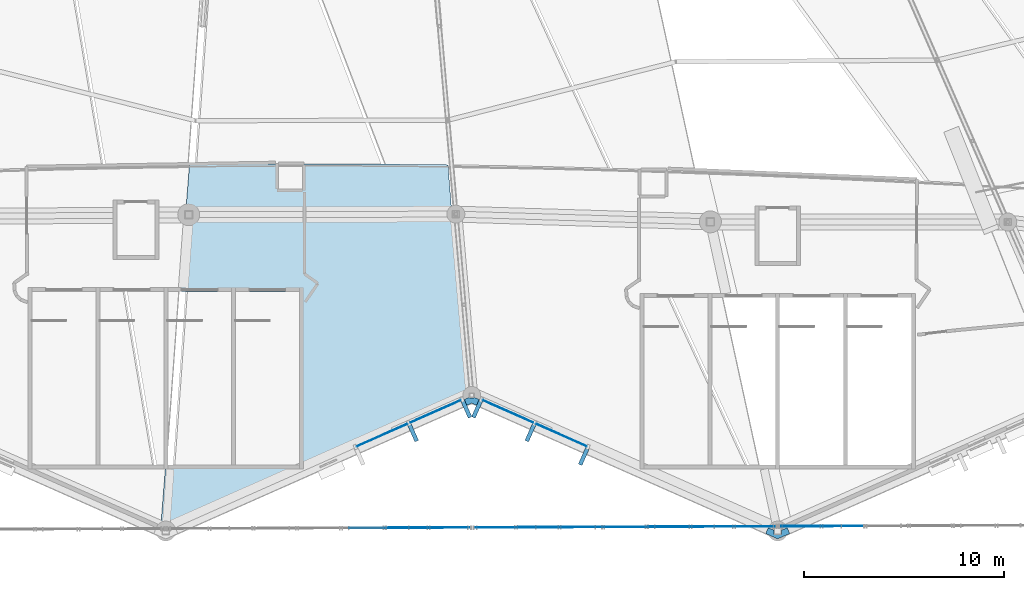
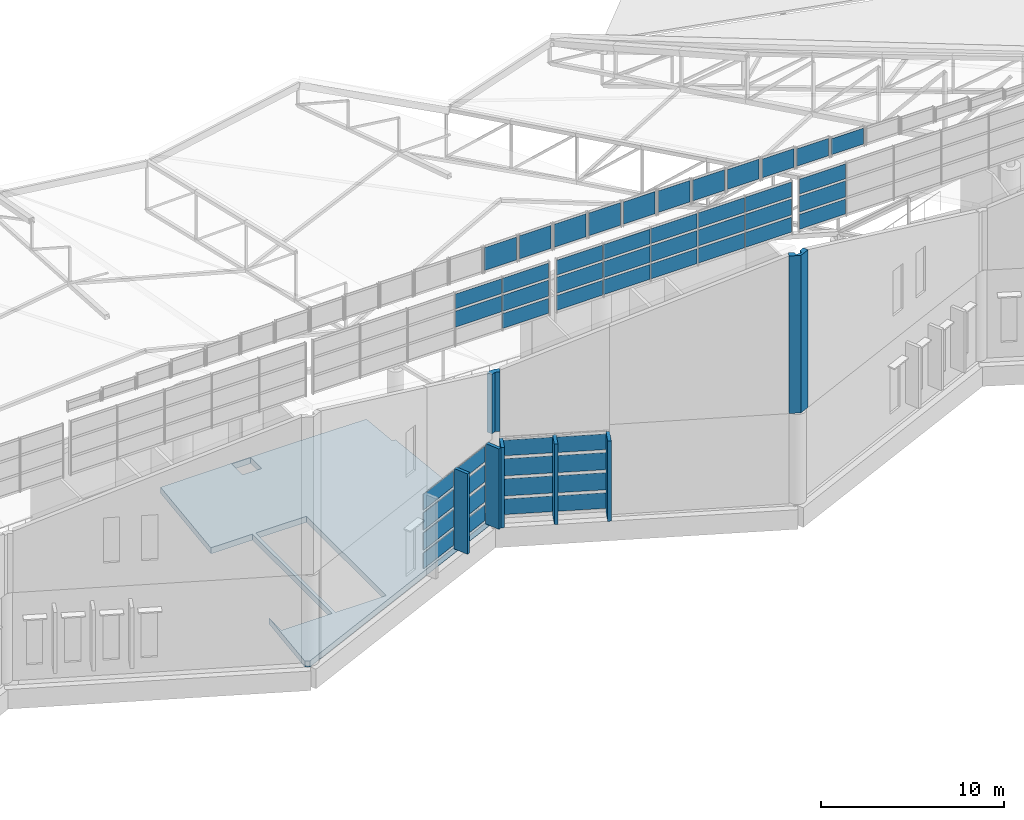
# One storey, part 228 of 344: 57 plates, 1 slab, 16 elements without a shape of their own.
"""IFC4 building model written with IfcOpenShell, lengths in metres."""

from ifc_helpers import new_model, si_unit, direction, frame, origin, origin_2d, place, context, subcontext, project, spatial, polyline, rectangle, outline, extrude, material, layer, layer_set, type_object, element, aggregate, save


model = new_model("IFC4")

# Units and contexts
model_context = context("Model", 3, precision=1e-05, world=origin(), true_north=direction((0.0, 1.0)))
body_context = subcontext(model_context, "Body", "Model", "MODEL_VIEW")
ifc_project = project(units=[si_unit("LENGTHUNIT", "METRE"), si_unit("AREAUNIT", "SQUARE_METRE"), si_unit("VOLUMEUNIT", "CUBIC_METRE"), si_unit("PLANEANGLEUNIT", "RADIAN"), si_unit("MASSUNIT", "GRAM", prefix="KILO")], contexts=[model_context])

# Site, building, storey
site_placement = place(None, origin())
site = spatial("IfcSite", under=ifc_project, at=site_placement, CompositionType="ELEMENT")
building_placement = place(site_placement, origin())
building = spatial("IfcBuilding", under=site, at=building_placement, Name="Meseta Stadium", CompositionType="ELEMENT")
storey_placement = place(building_placement, frame((0.0, 0.0, 24.0)))
storey = spatial("IfcBuildingStorey", under=building, at=storey_placement, Name="L04", CompositionType="ELEMENT", Elevation=24.0)

# Plates
ifc_material_1 = material(Name="White precast concrete C40/50", Category="concrete")
ifc_layer_1 = layer(ifc_material_1, 0.199951171875)
ifc_layer_set_1 = layer_set([ifc_layer_1], Name="Brise-soleil fin 200x900")
plate_type_1 = type_object("IfcPlateType", Name="Brise-soleil fin 200x900", PredefinedType="USERDEFINED", material=ifc_layer_set_1)
for number, where, z_axis, x_axis, name in (
    (1, (4.72607421875, -100.478271484375, 0.0), (0.0, 0.0, 1.0), (0.914139046248, 0.40540079443, 0.0), "Brise-soleil fin F46.2"),
    (2, (7.39990234375, -99.29248046875, 0.0), (0.0, 0.0, 1.0), (0.914139046248, 0.40540079443, 0.0), "Brise-soleil fin F46.3"),
    (3, (7.933349609375, -99.29248046875, 0.0), (0.0, 0.0, 1.0), (0.914139046248, -0.40540079443, 0.0), "Brise-soleil fin F47.1"),
    (4, (10.607177734375, -100.478271484375, 0.0), (0.0, 0.0, 1.0), (0.914139046248, -0.40540079443, 0.0), "Brise-soleil fin F47.2"),
    (5, (13.281005859375, -101.664306640625, 0.0), (0.0, 0.0, 1.0), (0.914139046248, -0.40540079443, 0.0), "Brise-soleil fin F47.3"),
):
    element("IfcPlate", number, at=place(storey_placement, frame(where, z_axis=z_axis, x_axis=x_axis)), inside=storey, type_object=plate_type_1, Name=name, ObjectType="FIN", PredefinedType="USERDEFINED", context=body_context, shape_type="SweptSolid", body=[
        extrude(rectangle(XDim=0.199951171875, YDim=0.89990234375, at=origin_2d()), origin(), (0.0, 0.0, 1.0), 5.35009765625),
    ])

# Curtain wall, plates
ifc_material_2 = material(Name="Steel S355", Category="steel")
ifc_layer_2 = layer(ifc_material_2, 0.300048828125)
ifc_layer_set_2 = layer_set([ifc_layer_2], Name="Valley atrium curtain wall")
curtain_wall_type_1 = type_object("IfcCurtainWallType", Name="Valley atrium curtain wall", PredefinedType="NOTDEFINED", material=ifc_layer_set_2)
curtain_wall_1_placement = place(storey_placement, origin())
curtain_wall_1 = element("IfcCurtainWall", 6, at=curtain_wall_1_placement, inside=storey, type_object=curtain_wall_type_1, Name="Valley atrium glazing F46", PredefinedType="NOTDEFINED")
ifc_material_3 = material(Name="Glass", Category="glass")
ifc_layer_3 = layer(ifc_material_3, 0.035888671875)
ifc_layer_set_3 = layer_set([ifc_layer_3], Name="CW glass panel 36")
plate_type_2 = type_object("IfcPlateType", Name="CW glass panel 36", PredefinedType="CURTAIN_PANEL", material=ifc_layer_set_3)
plate_1_placement = place(storey_placement, frame((3.17626953125, -100.59130859375, 0.199951171875), z_axis=(0.0, 0.0, 1.0), x_axis=(0.914139046206, 0.405400794526, 0.0)))
plate_1 = element("IfcPlate", 7, at=plate_1_placement, type_object=plate_type_2, Name="CWA panel 1.1", PredefinedType="CURTAIN_PANEL", context=body_context, shape_type="SweptSolid", body=[
    extrude(rectangle(XDim=2.77490234375, YDim=0.035888671875, at=origin_2d()), origin(), (0.0, 0.0, 1.0), 1.03759765625),
])
plate_2_placement = place(storey_placement, frame((3.17626953125, -100.59130859375, 1.4375), z_axis=(0.0, 0.0, 1.0), x_axis=(0.914139046206, 0.405400794526, 0.0)))
plate_2 = element("IfcPlate", 8, at=plate_2_placement, type_object=plate_type_2, Name="CWA panel 1.2", PredefinedType="CURTAIN_PANEL", context=body_context, shape_type="SweptSolid", body=[
    extrude(rectangle(XDim=2.77490234375, YDim=0.035888671875, at=origin_2d()), origin(), (0.0, 0.0, 1.0), 1.137451171875),
])
plate_3_placement = place(storey_placement, frame((3.17626953125, -100.59130859375, 2.77490234375), z_axis=(0.0, 0.0, 1.0), x_axis=(0.914139046206, 0.405400794526, 0.0)))
plate_3 = element("IfcPlate", 9, at=plate_3_placement, type_object=plate_type_2, Name="CWA panel 1.3", PredefinedType="CURTAIN_PANEL", context=body_context, shape_type="SweptSolid", body=[
    extrude(rectangle(XDim=2.77490234375, YDim=0.035888671875, at=origin_2d()), origin(), (0.0, 0.0, 1.0), 1.137451171875),
])
plate_4_placement = place(storey_placement, frame((3.17626953125, -100.59130859375, 4.112548828125), z_axis=(0.0, 0.0, 1.0), x_axis=(0.914139046206, 0.405400794526, 0.0)))
plate_4 = element("IfcPlate", 10, at=plate_4_placement, type_object=plate_type_2, Name="CWA panel 1.4", PredefinedType="CURTAIN_PANEL", context=body_context, shape_type="SweptSolid", body=[
    extrude(rectangle(XDim=2.77490234375, YDim=0.035888671875, at=origin_2d()), origin(), (0.0, 0.0, 1.0), 1.03759765625),
])
plate_5_placement = place(storey_placement, frame((5.85009765625, -99.405517578125, 0.199951171875), z_axis=(0.0, 0.0, 1.0), x_axis=(0.914139046206, 0.405400794526, 0.0)))
plate_5 = element("IfcPlate", 11, at=plate_5_placement, type_object=plate_type_2, Name="CWA panel 2.1", PredefinedType="CURTAIN_PANEL", context=body_context, shape_type="SweptSolid", body=[
    extrude(rectangle(XDim=2.77490234375, YDim=0.035888671875, at=origin_2d()), origin(), (0.0, 0.0, 1.0), 1.03759765625),
])
plate_6_placement = place(storey_placement, frame((5.85009765625, -99.405517578125, 1.4375), z_axis=(0.0, 0.0, 1.0), x_axis=(0.914139046206, 0.405400794526, 0.0)))
plate_6 = element("IfcPlate", 12, at=plate_6_placement, type_object=plate_type_2, Name="CWA panel 2.2", PredefinedType="CURTAIN_PANEL", context=body_context, shape_type="SweptSolid", body=[
    extrude(rectangle(XDim=2.77490234375, YDim=0.035888671875, at=origin_2d()), origin(), (0.0, 0.0, 1.0), 1.137451171875),
])
plate_7_placement = place(storey_placement, frame((5.85009765625, -99.405517578125, 2.77490234375), z_axis=(0.0, 0.0, 1.0), x_axis=(0.914139046206, 0.405400794526, 0.0)))
plate_7 = element("IfcPlate", 13, at=plate_7_placement, type_object=plate_type_2, Name="CWA panel 2.3", PredefinedType="CURTAIN_PANEL", context=body_context, shape_type="SweptSolid", body=[
    extrude(rectangle(XDim=2.77490234375, YDim=0.035888671875, at=origin_2d()), origin(), (0.0, 0.0, 1.0), 1.137451171875),
])
plate_8_placement = place(storey_placement, frame((5.85009765625, -99.405517578125, 4.112548828125), z_axis=(0.0, 0.0, 1.0), x_axis=(0.914139046206, 0.405400794526, 0.0)))
plate_8 = element("IfcPlate", 14, at=plate_8_placement, type_object=plate_type_2, Name="CWA panel 2.4", PredefinedType="CURTAIN_PANEL", context=body_context, shape_type="SweptSolid", body=[
    extrude(rectangle(XDim=2.77490234375, YDim=0.035888671875, at=origin_2d()), origin(), (0.0, 0.0, 1.0), 1.03759765625),
])
aggregate(curtain_wall_1, [plate_1, plate_2, plate_3, plate_4, plate_5, plate_6, plate_7, plate_8])

curtain_wall_2_placement = place(storey_placement, origin())
curtain_wall_2 = element("IfcCurtainWall", 15, at=curtain_wall_2_placement, inside=storey, type_object=curtain_wall_type_1, Name="Valley atrium glazing F47", PredefinedType="NOTDEFINED")
plate_9_placement = place(storey_placement, frame((9.483154296875, -99.405517578125, 0.199951171875), z_axis=(0.0, 0.0, 1.0), x_axis=(0.914139046234, -0.405400794462, 0.0)))
plate_9 = element("IfcPlate", 16, at=plate_9_placement, type_object=plate_type_2, Name="CWA panel 1.1", PredefinedType="CURTAIN_PANEL", context=body_context, shape_type="SweptSolid", body=[
    extrude(rectangle(XDim=2.77490234375, YDim=0.035888671875, at=origin_2d()), origin(), (0.0, 0.0, 1.0), 1.03759765625),
])
plate_10_placement = place(storey_placement, frame((9.483154296875, -99.405517578125, 1.4375), z_axis=(0.0, 0.0, 1.0), x_axis=(0.914139046234, -0.405400794462, 0.0)))
plate_10 = element("IfcPlate", 17, at=plate_10_placement, type_object=plate_type_2, Name="CWA panel 1.2", PredefinedType="CURTAIN_PANEL", context=body_context, shape_type="SweptSolid", body=[
    extrude(rectangle(XDim=2.77490234375, YDim=0.035888671875, at=origin_2d()), origin(), (0.0, 0.0, 1.0), 1.137451171875),
])
plate_11_placement = place(storey_placement, frame((9.483154296875, -99.405517578125, 2.77490234375), z_axis=(0.0, 0.0, 1.0), x_axis=(0.914139046234, -0.405400794462, 0.0)))
plate_11 = element("IfcPlate", 18, at=plate_11_placement, type_object=plate_type_2, Name="CWA panel 1.3", PredefinedType="CURTAIN_PANEL", context=body_context, shape_type="SweptSolid", body=[
    extrude(rectangle(XDim=2.77490234375, YDim=0.035888671875, at=origin_2d()), origin(), (0.0, 0.0, 1.0), 1.137451171875),
])
plate_12_placement = place(storey_placement, frame((9.483154296875, -99.405517578125, 4.112548828125), z_axis=(0.0, 0.0, 1.0), x_axis=(0.914139046234, -0.405400794462, 0.0)))
plate_12 = element("IfcPlate", 19, at=plate_12_placement, type_object=plate_type_2, Name="CWA panel 1.4", PredefinedType="CURTAIN_PANEL", context=body_context, shape_type="SweptSolid", body=[
    extrude(rectangle(XDim=2.77490234375, YDim=0.035888671875, at=origin_2d()), origin(), (0.0, 0.0, 1.0), 1.03759765625),
])
plate_13_placement = place(storey_placement, frame((12.156982421875, -100.59130859375, 0.199951171875), z_axis=(0.0, 0.0, 1.0), x_axis=(0.914139046234, -0.405400794462, 0.0)))
plate_13 = element("IfcPlate", 20, at=plate_13_placement, type_object=plate_type_2, Name="CWA panel 2.1", PredefinedType="CURTAIN_PANEL", context=body_context, shape_type="SweptSolid", body=[
    extrude(rectangle(XDim=2.77490234375, YDim=0.035888671875, at=origin_2d()), origin(), (0.0, 0.0, 1.0), 1.03759765625),
])
plate_14_placement = place(storey_placement, frame((12.156982421875, -100.59130859375, 1.4375), z_axis=(0.0, 0.0, 1.0), x_axis=(0.914139046234, -0.405400794462, 0.0)))
plate_14 = element("IfcPlate", 21, at=plate_14_placement, type_object=plate_type_2, Name="CWA panel 2.2", PredefinedType="CURTAIN_PANEL", context=body_context, shape_type="SweptSolid", body=[
    extrude(rectangle(XDim=2.77490234375, YDim=0.035888671875, at=origin_2d()), origin(), (0.0, 0.0, 1.0), 1.137451171875),
])
plate_15_placement = place(storey_placement, frame((12.156982421875, -100.59130859375, 2.77490234375), z_axis=(0.0, 0.0, 1.0), x_axis=(0.914139046234, -0.405400794462, 0.0)))
plate_15 = element("IfcPlate", 22, at=plate_15_placement, type_object=plate_type_2, Name="CWA panel 2.3", PredefinedType="CURTAIN_PANEL", context=body_context, shape_type="SweptSolid", body=[
    extrude(rectangle(XDim=2.77490234375, YDim=0.035888671875, at=origin_2d()), origin(), (0.0, 0.0, 1.0), 1.137451171875),
])
plate_16_placement = place(storey_placement, frame((12.156982421875, -100.59130859375, 4.112548828125), z_axis=(0.0, 0.0, 1.0), x_axis=(0.914139046234, -0.405400794462, 0.0)))
plate_16 = element("IfcPlate", 23, at=plate_16_placement, type_object=plate_type_2, Name="CWA panel 2.4", PredefinedType="CURTAIN_PANEL", context=body_context, shape_type="SweptSolid", body=[
    extrude(rectangle(XDim=2.77490234375, YDim=0.035888671875, at=origin_2d()), origin(), (0.0, 0.0, 1.0), 1.03759765625),
])
aggregate(curtain_wall_2, [plate_9, plate_10, plate_11, plate_12, plate_13, plate_14, plate_15, plate_16])

# Curtain wall, plate
ifc_material_4 = material(Name="Aluminium", Category="aluminium")
ifc_layer_4 = layer(ifc_material_4, 0.199951171875)
ifc_layer_set_4 = layer_set([ifc_layer_4], Name="Gable glazing curtain wall")
curtain_wall_type_2 = type_object("IfcCurtainWallType", Name="Gable glazing curtain wall", PredefinedType="NOTDEFINED", material=ifc_layer_set_4)
curtain_wall_3_placement = place(storey_placement, origin())
curtain_wall_3 = element("IfcCurtainWall", 24, at=curtain_wall_3_placement, inside=storey, type_object=curtain_wall_type_2, Name="Gable glazing south bay 20", PredefinedType="NOTDEFINED")
plate_17_placement = place(storey_placement, frame((4.40087890625, -105.235595703125, 22.005126953125), z_axis=(0.0, 0.0, 1.0), x_axis=(0.999992598213, 0.003847534181, 0.0)))
plate_17 = element("IfcPlate", 25, at=plate_17_placement, type_object=plate_type_2, Name="CWG panel 1.1", PredefinedType="CURTAIN_PANEL", context=body_context, shape_type="SweptSolid", body=[
    extrude(rectangle(XDim=2.01025390625, YDim=0.035888671875, at=origin_2d()), origin(), (0.0, 0.0, 1.0), 1.52001953125),
])
aggregate(curtain_wall_3, [plate_17])

curtain_wall_4_placement = place(storey_placement, origin())
curtain_wall_4 = element("IfcCurtainWall", 26, at=curtain_wall_4_placement, inside=storey, type_object=curtain_wall_type_2, Name="Gable glazing south bay 21", PredefinedType="NOTDEFINED")
plate_18_placement = place(storey_placement, frame((6.594970703125, -105.22705078125, 22.0048828125), z_axis=(0.0, 0.0, 1.0), x_axis=(0.999992598213, 0.003847534181, 0.0)))
plate_18 = element("IfcPlate", 27, at=plate_18_placement, type_object=plate_type_2, Name="CWG panel 1.1", PredefinedType="CURTAIN_PANEL", context=body_context, shape_type="SweptSolid", body=[
    extrude(rectangle(XDim=2.01025390625, YDim=0.035888671875, at=origin_2d()), origin(), (0.0, 0.0, 1.0), 1.53271484375),
])
aggregate(curtain_wall_4, [plate_18])

curtain_wall_5_placement = place(storey_placement, origin())
curtain_wall_5 = element("IfcCurtainWall", 28, at=curtain_wall_5_placement, inside=storey, type_object=curtain_wall_type_2, Name="Gable glazing south bay 22", PredefinedType="NOTDEFINED")
plate_19_placement = place(storey_placement, frame((8.785400390625, -105.21875, 22.0048828125), z_axis=(0.0, 0.0, 1.0), x_axis=(0.999992598213, 0.003847534233, 0.0)))
plate_19 = element("IfcPlate", 29, at=plate_19_placement, type_object=plate_type_2, Name="CWG panel 1.1", PredefinedType="CURTAIN_PANEL", context=body_context, shape_type="SweptSolid", body=[
    extrude(rectangle(XDim=2.002685546875, YDim=0.035888671875, at=origin_2d()), origin(), (0.0, 0.0, 1.0), 1.525146484375),
])
aggregate(curtain_wall_5, [plate_19])

curtain_wall_6_placement = place(storey_placement, origin())
curtain_wall_6 = element("IfcCurtainWall", 30, at=curtain_wall_6_placement, inside=storey, type_object=curtain_wall_type_2, Name="Gable glazing south bay 23", PredefinedType="NOTDEFINED")
plate_20_placement = place(storey_placement, frame((10.97216796875, -105.210205078125, 22.0048828125), z_axis=(0.0, 0.0, 1.0), x_axis=(0.999992598213, 0.003847534233, 0.0)))
plate_20 = element("IfcPlate", 31, at=plate_20_placement, type_object=plate_type_2, Name="CWG panel 1.1", PredefinedType="CURTAIN_PANEL", context=body_context, shape_type="SweptSolid", body=[
    extrude(rectangle(XDim=2.002685546875, YDim=0.035888671875, at=origin_2d()), origin(), (0.0, 0.0, 1.0), 1.50537109375),
])
aggregate(curtain_wall_6, [plate_20])

curtain_wall_7_placement = place(storey_placement, origin())
curtain_wall_7 = element("IfcCurtainWall", 32, at=curtain_wall_7_placement, inside=storey, type_object=curtain_wall_type_2, Name="Gable glazing south bay 24", PredefinedType="NOTDEFINED")
plate_21_placement = place(storey_placement, frame((13.158935546875, -105.201904296875, 22.0048828125), z_axis=(0.0, 0.0, 1.0), x_axis=(0.999992598213, 0.003847534233, 0.0)))
plate_21 = element("IfcPlate", 33, at=plate_21_placement, type_object=plate_type_2, Name="CWG panel 1.1", PredefinedType="CURTAIN_PANEL", context=body_context, shape_type="SweptSolid", body=[
    extrude(rectangle(XDim=2.002685546875, YDim=0.035888671875, at=origin_2d()), origin(), (0.0, 0.0, 1.0), 1.474609375),
])
aggregate(curtain_wall_7, [plate_21])

curtain_wall_8_placement = place(storey_placement, origin())
curtain_wall_8 = element("IfcCurtainWall", 34, at=curtain_wall_8_placement, inside=storey, type_object=curtain_wall_type_2, Name="Gable glazing south bay 25", PredefinedType="NOTDEFINED")
plate_22_placement = place(storey_placement, frame((15.345703125, -105.193359375, 22.0048828125), z_axis=(0.0, 0.0, 1.0), x_axis=(0.999992598213, 0.003847534233, 0.0)))
plate_22 = element("IfcPlate", 35, at=plate_22_placement, type_object=plate_type_2, Name="CWG panel 1.1", PredefinedType="CURTAIN_PANEL", context=body_context, shape_type="SweptSolid", body=[
    extrude(rectangle(XDim=2.002685546875, YDim=0.035888671875, at=origin_2d()), origin(), (0.0, 0.0, 1.0), 1.432861328125),
])
aggregate(curtain_wall_8, [plate_22])

curtain_wall_9_placement = place(storey_placement, origin())
curtain_wall_9 = element("IfcCurtainWall", 36, at=curtain_wall_9_placement, inside=storey, type_object=curtain_wall_type_2, Name="Gable glazing south bay 26", PredefinedType="NOTDEFINED")
plate_23_placement = place(storey_placement, frame((17.5322265625, -105.18505859375, 22.005126953125), z_axis=(0.0, 0.0, 1.0), x_axis=(0.999992598213, 0.003847534233, 0.0)))
plate_23 = element("IfcPlate", 37, at=plate_23_placement, type_object=plate_type_2, Name="CWG panel 1.1", PredefinedType="CURTAIN_PANEL", context=body_context, shape_type="SweptSolid", body=[
    extrude(rectangle(XDim=2.002685546875, YDim=0.035888671875, at=origin_2d()), origin(), (0.0, 0.0, 1.0), 1.3798828125),
])
aggregate(curtain_wall_9, [plate_23])

curtain_wall_10_placement = place(storey_placement, origin())
curtain_wall_10 = element("IfcCurtainWall", 38, at=curtain_wall_10_placement, inside=storey, type_object=curtain_wall_type_2, Name="Gable glazing south bay 27", PredefinedType="NOTDEFINED")
plate_24_placement = place(storey_placement, frame((19.718994140625, -105.1767578125, 22.005126953125), z_axis=(0.0, 0.0, 1.0), x_axis=(0.999992598213, 0.003847534233, 0.0)))
plate_24 = element("IfcPlate", 39, at=plate_24_placement, type_object=plate_type_2, Name="CWG panel 1.1", PredefinedType="CURTAIN_PANEL", context=body_context, shape_type="SweptSolid", body=[
    extrude(rectangle(XDim=2.002685546875, YDim=0.035888671875, at=origin_2d()), origin(), (0.0, 0.0, 1.0), 1.31591796875),
])
aggregate(curtain_wall_10, [plate_24])

curtain_wall_11_placement = place(storey_placement, origin())
curtain_wall_11 = element("IfcCurtainWall", 40, at=curtain_wall_11_placement, inside=storey, type_object=curtain_wall_type_2, Name="Gable glazing south bay 28", PredefinedType="NOTDEFINED")
plate_25_placement = place(storey_placement, frame((21.90576171875, -105.168212890625, 22.0048828125), z_axis=(0.0, 0.0, 1.0), x_axis=(0.999992598213, 0.003847534233, 0.0)))
plate_25 = element("IfcPlate", 41, at=plate_25_placement, type_object=plate_type_2, Name="CWG panel 1.1", PredefinedType="CURTAIN_PANEL", context=body_context, shape_type="SweptSolid", body=[
    extrude(rectangle(XDim=2.002685546875, YDim=0.035888671875, at=origin_2d()), origin(), (0.0, 0.0, 1.0), 1.24072265625),
])
aggregate(curtain_wall_11, [plate_25])

curtain_wall_12_placement = place(storey_placement, origin())
curtain_wall_12 = element("IfcCurtainWall", 42, at=curtain_wall_12_placement, inside=storey, type_object=curtain_wall_type_2, Name="Gable glazing south bay 29", PredefinedType="NOTDEFINED")
plate_26_placement = place(storey_placement, frame((24.09619140625, -105.159912109375, 22.0048828125), z_axis=(0.0, 0.0, 1.0), x_axis=(0.999992598213, 0.003847534181, 0.0)))
plate_26 = element("IfcPlate", 43, at=plate_26_placement, type_object=plate_type_2, Name="CWG panel 1.1", PredefinedType="CURTAIN_PANEL", context=body_context, shape_type="SweptSolid", body=[
    extrude(rectangle(XDim=2.01025390625, YDim=0.035888671875, at=origin_2d()), origin(), (0.0, 0.0, 1.0), 1.153564453125),
])
aggregate(curtain_wall_12, [plate_26])

curtain_wall_13_placement = place(storey_placement, origin())
curtain_wall_13 = element("IfcCurtainWall", 44, at=curtain_wall_13_placement, inside=storey, type_object=curtain_wall_type_2, Name="Gable glazing south bay 30", PredefinedType="NOTDEFINED")
plate_27_placement = place(storey_placement, frame((26.290283203125, -105.1513671875, 22.0048828125), z_axis=(0.0, 0.0, 1.0), x_axis=(0.999992598213, 0.003847534181, 0.0)))
plate_27 = element("IfcPlate", 45, at=plate_27_placement, type_object=plate_type_2, Name="CWG panel 1.1", PredefinedType="CURTAIN_PANEL", context=body_context, shape_type="SweptSolid", body=[
    extrude(rectangle(XDim=2.01025390625, YDim=0.035888671875, at=origin_2d()), origin(), (0.0, 0.0, 1.0), 1.0546875),
])
aggregate(curtain_wall_13, [plate_27])

# Curtain wall, plates
curtain_wall_14_placement = place(storey_placement, origin())
curtain_wall_14 = element("IfcCurtainWall", 46, at=curtain_wall_14_placement, inside=storey, type_object=curtain_wall_type_2, Name="Gable glazing south lower bay 03", PredefinedType="NOTDEFINED")
plate_28_placement = place(storey_placement, frame((3.006103515625, -105.240966796875, 18.88671875), z_axis=(0.0, 0.0, 1.0), x_axis=(0.999992598213, 0.003847534216, 0.0)))
plate_28 = element("IfcPlate", 47, at=plate_28_placement, type_object=plate_type_2, Name="CWG panel 4.2", PredefinedType="CURTAIN_PANEL", context=body_context, shape_type="SweptSolid", body=[
    extrude(rectangle(XDim=2.93359375, YDim=0.035888671875, at=origin_2d()), origin(), (0.0, 0.0, 1.0), 1.061767578125),
])
plate_29_placement = place(storey_placement, frame((3.006103515625, -105.240966796875, 20.09814453125), z_axis=(0.0, 0.0, 1.0), x_axis=(0.999992598213, 0.003847534216, 0.0)))
plate_29 = element("IfcPlate", 48, at=plate_29_placement, type_object=plate_type_2, Name="CWG panel 4.3", PredefinedType="CURTAIN_PANEL", context=body_context, shape_type="SweptSolid", body=[
    extrude(rectangle(XDim=2.93359375, YDim=0.035888671875, at=origin_2d()), origin(), (0.0, 0.0, 1.0), 0.986572265625),
])
plate_30_placement = place(storey_placement, frame((5.98486328125, -105.2294921875, 17.75), z_axis=(0.0, 0.0, 1.0), x_axis=(0.999992598213, 0.003847534216, 0.0)))
plate_30 = element("IfcPlate", 49, at=plate_30_placement, type_object=plate_type_2, Name="CWG panel 5.1", PredefinedType="CURTAIN_PANEL", context=body_context, shape_type="SweptSolid", body=[
    extrude(rectangle(XDim=2.903564453125, YDim=0.035888671875, at=origin_2d()), origin(), (0.0, 0.0, 1.0), 0.986572265625),
])
plate_31_placement = place(storey_placement, frame((5.98486328125, -105.2294921875, 18.88671875), z_axis=(0.0, 0.0, 1.0), x_axis=(0.999992598213, 0.003847534216, 0.0)))
plate_31 = element("IfcPlate", 50, at=plate_31_placement, type_object=plate_type_2, Name="CWG panel 5.2", PredefinedType="CURTAIN_PANEL", context=body_context, shape_type="SweptSolid", body=[
    extrude(rectangle(XDim=2.903564453125, YDim=0.035888671875, at=origin_2d()), origin(), (0.0, 0.0, 1.0), 1.061767578125),
])
plate_32_placement = place(storey_placement, frame((5.98486328125, -105.2294921875, 20.09814453125), z_axis=(0.0, 0.0, 1.0), x_axis=(0.999992598213, 0.003847534216, 0.0)))
plate_32 = element("IfcPlate", 51, at=plate_32_placement, type_object=plate_type_2, Name="CWG panel 5.3", PredefinedType="CURTAIN_PANEL", context=body_context, shape_type="SweptSolid", body=[
    extrude(rectangle(XDim=2.903564453125, YDim=0.035888671875, at=origin_2d()), origin(), (0.0, 0.0, 1.0), 0.986572265625),
])
aggregate(curtain_wall_14, [plate_28, plate_29, plate_30, plate_31, plate_32])

curtain_wall_15_placement = place(storey_placement, origin())
curtain_wall_15 = element("IfcCurtainWall", 52, at=curtain_wall_15_placement, inside=storey, type_object=curtain_wall_type_2, Name="Gable glazing south lower bay 04", PredefinedType="NOTDEFINED")
plate_33_placement = place(storey_placement, frame((9.394287109375, -105.21630859375, 17.75), z_axis=(0.0, 0.0, 1.0), x_axis=(0.999992598213, 0.003847534198, 0.0)))
plate_33 = element("IfcPlate", 53, at=plate_33_placement, type_object=plate_type_2, Name="CWG panel 1.1", PredefinedType="CURTAIN_PANEL", context=body_context, shape_type="SweptSolid", body=[
    extrude(rectangle(XDim=2.893310546875, YDim=0.035888671875, at=origin_2d()), origin(), (0.0, 0.0, 1.0), 0.986572265625),
])
plate_34_placement = place(storey_placement, frame((9.394287109375, -105.21630859375, 18.88671875), z_axis=(0.0, 0.0, 1.0), x_axis=(0.999992598213, 0.003847534198, 0.0)))
plate_34 = element("IfcPlate", 54, at=plate_34_placement, type_object=plate_type_2, Name="CWG panel 1.2", PredefinedType="CURTAIN_PANEL", context=body_context, shape_type="SweptSolid", body=[
    extrude(rectangle(XDim=2.893310546875, YDim=0.035888671875, at=origin_2d()), origin(), (0.0, 0.0, 1.0), 1.061767578125),
])
plate_35_placement = place(storey_placement, frame((9.394287109375, -105.21630859375, 20.09814453125), z_axis=(0.0, 0.0, 1.0), x_axis=(0.999992598213, 0.003847534198, 0.0)))
plate_35 = element("IfcPlate", 55, at=plate_35_placement, type_object=plate_type_2, Name="CWG panel 1.3", PredefinedType="CURTAIN_PANEL", context=body_context, shape_type="SweptSolid", body=[
    extrude(rectangle(XDim=2.893310546875, YDim=0.035888671875, at=origin_2d()), origin(), (0.0, 0.0, 1.0), 0.986572265625),
])
plate_36_placement = place(storey_placement, frame((12.362548828125, -105.204833984375, 17.75), z_axis=(0.0, 0.0, 1.0), x_axis=(0.999992598213, 0.003847534198, 0.0)))
plate_36 = element("IfcPlate", 56, at=plate_36_placement, type_object=plate_type_2, Name="CWG panel 2.1", PredefinedType="CURTAIN_PANEL", context=body_context, shape_type="SweptSolid", body=[
    extrude(rectangle(XDim=2.923095703125, YDim=0.035888671875, at=origin_2d()), origin(), (0.0, 0.0, 1.0), 0.986572265625),
])
plate_37_placement = place(storey_placement, frame((12.362548828125, -105.204833984375, 18.88671875), z_axis=(0.0, 0.0, 1.0), x_axis=(0.999992598213, 0.003847534198, 0.0)))
plate_37 = element("IfcPlate", 57, at=plate_37_placement, type_object=plate_type_2, Name="CWG panel 2.2", PredefinedType="CURTAIN_PANEL", context=body_context, shape_type="SweptSolid", body=[
    extrude(rectangle(XDim=2.923095703125, YDim=0.035888671875, at=origin_2d()), origin(), (0.0, 0.0, 1.0), 1.061767578125),
])
plate_38_placement = place(storey_placement, frame((12.362548828125, -105.204833984375, 20.09814453125), z_axis=(0.0, 0.0, 1.0), x_axis=(0.999992598213, 0.003847534198, 0.0)))
plate_38 = element("IfcPlate", 58, at=plate_38_placement, type_object=plate_type_2, Name="CWG panel 2.3", PredefinedType="CURTAIN_PANEL", context=body_context, shape_type="SweptSolid", body=[
    extrude(rectangle(XDim=2.923095703125, YDim=0.035888671875, at=origin_2d()), origin(), (0.0, 0.0, 1.0), 0.986572265625),
])
plate_39_placement = place(storey_placement, frame((15.345703125, -105.193359375, 17.75), z_axis=(0.0, 0.0, 1.0), x_axis=(0.999992598213, 0.003847534198, 0.0)))
plate_39 = element("IfcPlate", 59, at=plate_39_placement, type_object=plate_type_2, Name="CWG panel 3.1", PredefinedType="CURTAIN_PANEL", context=body_context, shape_type="SweptSolid", body=[
    extrude(rectangle(XDim=2.923095703125, YDim=0.035888671875, at=origin_2d()), origin(), (0.0, 0.0, 1.0), 0.986572265625),
])
plate_40_placement = place(storey_placement, frame((15.345703125, -105.193359375, 18.88671875), z_axis=(0.0, 0.0, 1.0), x_axis=(0.999992598213, 0.003847534198, 0.0)))
plate_40 = element("IfcPlate", 60, at=plate_40_placement, type_object=plate_type_2, Name="CWG panel 3.2", PredefinedType="CURTAIN_PANEL", context=body_context, shape_type="SweptSolid", body=[
    extrude(rectangle(XDim=2.923095703125, YDim=0.035888671875, at=origin_2d()), origin(), (0.0, 0.0, 1.0), 1.061767578125),
])
plate_41_placement = place(storey_placement, frame((15.345703125, -105.193359375, 20.09814453125), z_axis=(0.0, 0.0, 1.0), x_axis=(0.999992598213, 0.003847534198, 0.0)))
plate_41 = element("IfcPlate", 61, at=plate_41_placement, type_object=plate_type_2, Name="CWG panel 3.3", PredefinedType="CURTAIN_PANEL", context=body_context, shape_type="SweptSolid", body=[
    extrude(rectangle(XDim=2.923095703125, YDim=0.035888671875, at=origin_2d()), origin(), (0.0, 0.0, 1.0), 0.986572265625),
])
plate_42_placement = place(storey_placement, frame((18.328857421875, -105.181884765625, 17.75), z_axis=(0.0, 0.0, 1.0), x_axis=(0.999992598213, 0.003847534198, 0.0)))
plate_42 = element("IfcPlate", 62, at=plate_42_placement, type_object=plate_type_2, Name="CWG panel 4.1", PredefinedType="CURTAIN_PANEL", context=body_context, shape_type="SweptSolid", body=[
    extrude(rectangle(XDim=2.923095703125, YDim=0.035888671875, at=origin_2d()), origin(), (0.0, 0.0, 1.0), 0.986572265625),
])
plate_43_placement = place(storey_placement, frame((18.328857421875, -105.181884765625, 18.88671875), z_axis=(0.0, 0.0, 1.0), x_axis=(0.999992598213, 0.003847534198, 0.0)))
plate_43 = element("IfcPlate", 63, at=plate_43_placement, type_object=plate_type_2, Name="CWG panel 4.2", PredefinedType="CURTAIN_PANEL", context=body_context, shape_type="SweptSolid", body=[
    extrude(rectangle(XDim=2.923095703125, YDim=0.035888671875, at=origin_2d()), origin(), (0.0, 0.0, 1.0), 1.061767578125),
])
plate_44_placement = place(storey_placement, frame((18.328857421875, -105.181884765625, 20.09814453125), z_axis=(0.0, 0.0, 1.0), x_axis=(0.999992598213, 0.003847534198, 0.0)))
plate_44 = element("IfcPlate", 64, at=plate_44_placement, type_object=plate_type_2, Name="CWG panel 4.3", PredefinedType="CURTAIN_PANEL", context=body_context, shape_type="SweptSolid", body=[
    extrude(rectangle(XDim=2.923095703125, YDim=0.035888671875, at=origin_2d()), origin(), (0.0, 0.0, 1.0), 0.986572265625),
])
plate_45_placement = place(storey_placement, frame((21.297119140625, -105.170654296875, 17.75), z_axis=(0.0, 0.0, 1.0), x_axis=(0.999992598213, 0.003847534198, 0.0)))
plate_45 = element("IfcPlate", 65, at=plate_45_placement, type_object=plate_type_2, Name="CWG panel 5.1", PredefinedType="CURTAIN_PANEL", context=body_context, shape_type="SweptSolid", body=[
    extrude(rectangle(XDim=2.893310546875, YDim=0.035888671875, at=origin_2d()), origin(), (0.0, 0.0, 1.0), 0.986572265625),
])
plate_46_placement = place(storey_placement, frame((21.297119140625, -105.170654296875, 18.88671875), z_axis=(0.0, 0.0, 1.0), x_axis=(0.999992598213, 0.003847534198, 0.0)))
plate_46 = element("IfcPlate", 66, at=plate_46_placement, type_object=plate_type_2, Name="CWG panel 5.2", PredefinedType="CURTAIN_PANEL", context=body_context, shape_type="SweptSolid", body=[
    extrude(rectangle(XDim=2.893310546875, YDim=0.035888671875, at=origin_2d()), origin(), (0.0, 0.0, 1.0), 1.061767578125),
])
plate_47_placement = place(storey_placement, frame((21.297119140625, -105.170654296875, 20.09814453125), z_axis=(0.0, 0.0, 1.0), x_axis=(0.999992598213, 0.003847534198, 0.0)))
plate_47 = element("IfcPlate", 67, at=plate_47_placement, type_object=plate_type_2, Name="CWG panel 5.3", PredefinedType="CURTAIN_PANEL", context=body_context, shape_type="SweptSolid", body=[
    extrude(rectangle(XDim=2.893310546875, YDim=0.035888671875, at=origin_2d()), origin(), (0.0, 0.0, 1.0), 0.986572265625),
])
aggregate(curtain_wall_15, [plate_33, plate_34, plate_35, plate_36, plate_37, plate_38, plate_39, plate_40, plate_41, plate_42, plate_43, plate_44, plate_45, plate_46, plate_47])

curtain_wall_16_placement = place(storey_placement, origin())
curtain_wall_16 = element("IfcCurtainWall", 68, at=curtain_wall_16_placement, inside=storey, type_object=curtain_wall_type_2, Name="Gable glazing south lower bay 05", PredefinedType="NOTDEFINED")
plate_48_placement = place(storey_placement, frame((24.706298828125, -105.157470703125, 17.75), z_axis=(0.0, 0.0, 1.0), x_axis=(0.999992598213, 0.003847534216, 0.0)))
plate_48 = element("IfcPlate", 69, at=plate_48_placement, type_object=plate_type_2, Name="CWG panel 1.1", PredefinedType="CURTAIN_PANEL", context=body_context, shape_type="SweptSolid", body=[
    extrude(rectangle(XDim=2.903564453125, YDim=0.035888671875, at=origin_2d()), origin(), (0.0, 0.0, 1.0), 0.986572265625),
])
plate_49_placement = place(storey_placement, frame((24.706298828125, -105.157470703125, 18.88671875), z_axis=(0.0, 0.0, 1.0), x_axis=(0.999992598213, 0.003847534216, 0.0)))
plate_49 = element("IfcPlate", 70, at=plate_49_placement, type_object=plate_type_2, Name="CWG panel 1.2", PredefinedType="CURTAIN_PANEL", context=body_context, shape_type="SweptSolid", body=[
    extrude(rectangle(XDim=2.903564453125, YDim=0.035888671875, at=origin_2d()), origin(), (0.0, 0.0, 1.0), 1.061767578125),
])
plate_50_placement = place(storey_placement, frame((24.706298828125, -105.157470703125, 20.09814453125), z_axis=(0.0, 0.0, 1.0), x_axis=(0.999992598213, 0.003847534216, 0.0)))
plate_50 = element("IfcPlate", 71, at=plate_50_placement, type_object=plate_type_2, Name="CWG panel 1.3", PredefinedType="CURTAIN_PANEL", context=body_context, shape_type="SweptSolid", body=[
    extrude(rectangle(XDim=2.903564453125, YDim=0.035888671875, at=origin_2d()), origin(), (0.0, 0.0, 1.0), 0.986572265625),
])
aggregate(curtain_wall_16, [plate_48, plate_49, plate_50])

# Slab
ifc_material_5 = material(Name="Concrete C40/50", Category="concrete")
ifc_layer_5 = layer(ifc_material_5, 0.39990234375)
ifc_layer_set_5 = layer_set([ifc_layer_5], Name="Floor slab 400")
slab_type = type_object("IfcSlabType", Name="Floor slab 400", PredefinedType="FLOOR", material=ifc_layer_set_5)
slab_placement = place(storey_placement, frame((0.0, 0.0, -0.39990234375)))
element("IfcSlab", 72, at=slab_placement, inside=storey, type_object=slab_type, Name="Floor slab L04 sector 42 panel 07", PredefinedType="FLOOR", context=body_context, shape_type="SweptSolid", body=[
    extrude(outline(polyline([(4.318603515625, -87.019287109375), (2.158935546875, -87.0048828125), (0.0, -87.0), (-2.158935546875, -87.0048828125), (-4.318603515625, -87.019287109375), (-6.4794921875, -87.04345703125), (-6.984130859375, -93.39990234375), (-4.36669921875, -93.39990234375), (-4.36669921875, -102.10009765625), (-7.566650390625, -102.10009765625), (-7.566650390625, -100.740478515625), (-7.92724609375, -105.284423828125), (-7.666748046875, -105.39990234375), (7.666748046875, -98.60009765625), (6.87060546875, -89.517822265625), (6.676025390625, -89.518310546875), (6.4794921875, -87.04345703125), (4.318603515625, -87.019287109375)]), holes=[polyline([(-2.0166015625, -88.25), (-2.0166015625, -87.050048828125), (-0.816650390625, -87.050048828125), (-0.816650390625, -88.25), (-2.0166015625, -88.25)]), polyline([(-4.166748046875, -93.39990234375), (-0.966796875, -93.39990234375), (-0.966796875, -102.10009765625), (-4.166748046875, -102.10009765625), (-4.166748046875, -93.39990234375)])]), origin(), (0.0, 0.0, 1.0), 0.39990234375),
])

# Plates
ifc_material_6 = material(Name="White precast concrete C40/50", Category="concrete")
ifc_layer_6 = layer(ifc_material_6, 0.320068359375)
ifc_layer_set_6 = layer_set([ifc_layer_6], Name="Fold closer plate 320")
plate_type_3 = type_object("IfcPlateType", Name="Fold closer plate 320", PredefinedType="USERDEFINED", material=ifc_layer_set_6)
plate_51_placement = place(storey_placement, frame((0.0, 0.0, 6.0)))
element("IfcPlate", 73, at=plate_51_placement, inside=storey, type_object=plate_type_3, Name="Pleated fascia fold closer L04 F46", ObjectType="CLADDING", PredefinedType="USERDEFINED", context=body_context, shape_type="SweptSolid", body=[
    extrude(outline(polyline([(7.666748046875, -98.993896484375), (7.931640625, -99.111328125), (8.061279296875, -98.81884765625), (7.78662109375, -98.697021484375), (7.785888671875, -98.7138671875), (7.777587890625, -98.719970703125), (7.556640625, -98.719970703125), (7.54736328125, -98.7138671875), (7.546630859375, -98.697021484375), (7.27197265625, -98.81884765625), (7.401611328125, -99.111328125), (7.666748046875, -98.993896484375)])), origin(), (0.0, 0.0, 1.0), 3.9453125),
])
plate_52_placement = place(storey_placement, frame((0.0, 0.0, 6.0)))
element("IfcPlate", 74, at=plate_52_placement, inside=storey, type_object=plate_type_3, Name="Pleated fascia fold closer L04 F47", ObjectType="CLADDING", PredefinedType="USERDEFINED", context=body_context, shape_type="SweptSolid", body=[
    extrude(outline(polyline([(22.81494140625, -105.36181640625), (22.527099609375, -105.23388671875), (22.3974609375, -105.526611328125), (23.0, -105.793701171875), (23.6025390625, -105.526611328125), (23.472900390625, -105.23388671875), (23.18505859375, -105.36181640625), (23.18505859375, -105.574951171875), (23.1826171875, -105.581298828125), (23.177001953125, -105.584716796875), (22.8193359375, -105.583251953125), (22.81494140625, -105.574951171875), (22.81494140625, -105.36181640625)])), origin(), (0.0, 0.0, 1.0), 10.482421875),
])

save(model, "model.ifc")
